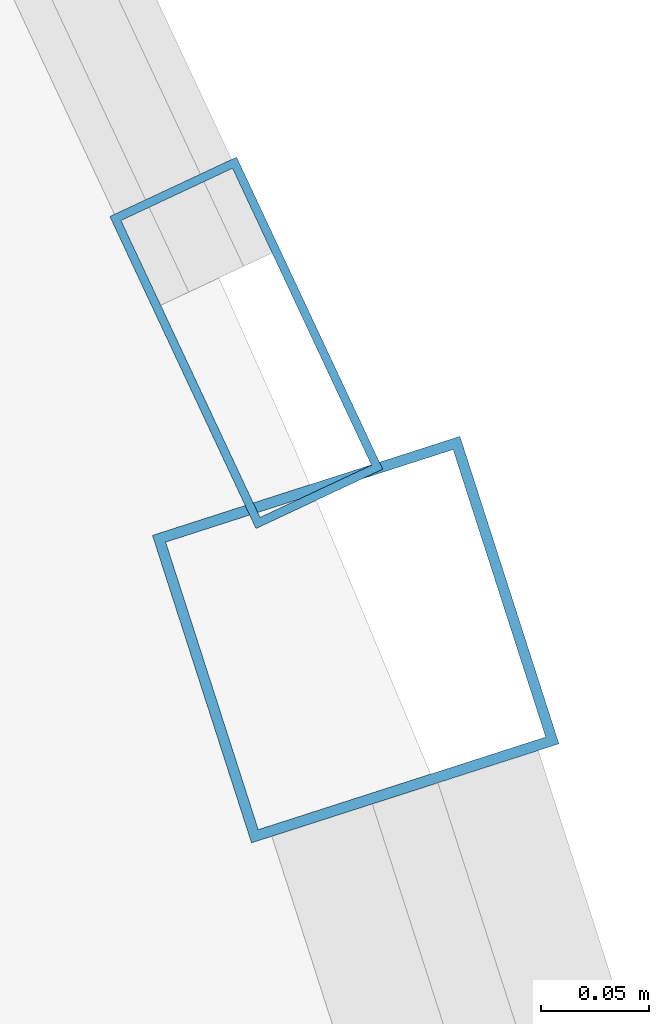
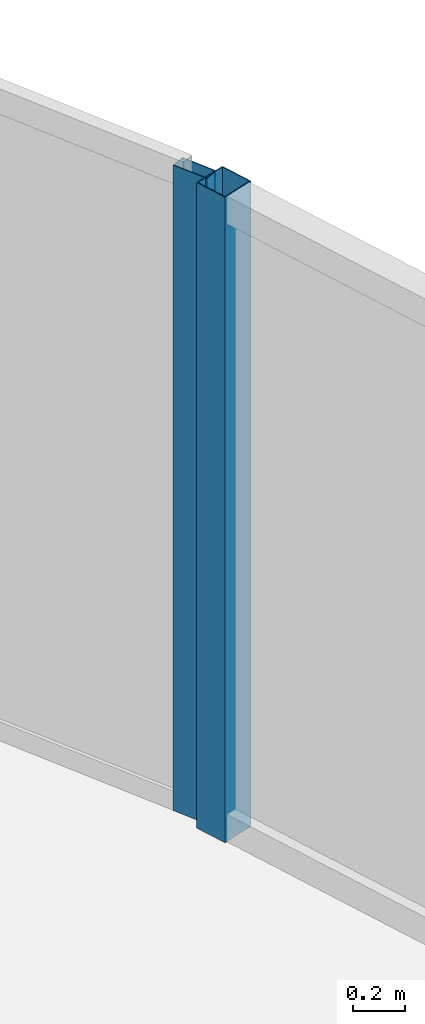
# One storey, part 17 of 32: 2 members, 2 elements without a shape of their own.
"""IFC4 building model written with IfcOpenShell, lengths in metres."""

from ifc_helpers import new_model, si_unit, direction, frame, origin, origin_2d, place, context, subcontext, project, spatial, hollow_rectangle, extrude, material, layer, layer_set, material_profile, profile_set, type_object, element, aggregate, save


model = new_model("IFC4")

# Units and contexts
model_context = context("Model", 3, precision=1e-05, world=origin(), true_north=direction((0.0, 1.0)))
body_context = subcontext(model_context, "Body", "Model", "MODEL_VIEW")
ifc_project = project(units=[si_unit("LENGTHUNIT", "METRE"), si_unit("AREAUNIT", "SQUARE_METRE"), si_unit("VOLUMEUNIT", "CUBIC_METRE"), si_unit("PLANEANGLEUNIT", "RADIAN"), si_unit("MASSUNIT", "GRAM", prefix="KILO")], contexts=[model_context])

# Site, building, storey
site_placement = place(None, origin())
site = spatial("IfcSite", under=ifc_project, at=site_placement, CompositionType="ELEMENT")
building_placement = place(site_placement, origin())
building = spatial("IfcBuilding", under=site, at=building_placement, Name="Orvanel Arch Residences", CompositionType="ELEMENT")
storey_placement = place(building_placement, frame((0.0, 0.0, 219.5)))
storey = spatial("IfcBuildingStorey", under=building, at=storey_placement, Name="L62", CompositionType="ELEMENT", Elevation=219.5)

# Curtain wall, member
ifc_material = material(Name="Bronze-anodised aluminium AA6063-T6", Category="aluminium")
ifc_layer_1 = layer(ifc_material, 0.18994140625)
ifc_layer_set_1 = layer_set([ifc_layer_1], Name="Bronze-anodised aluminium AA6063-T6")
curtain_wall_type_1 = type_object("IfcCurtainWallType", Name="CW5-CRN-SYS", PredefinedType="NOTDEFINED", material=ifc_layer_set_1)
curtain_wall_1_placement = place(storey_placement, origin())
curtain_wall_1 = element("IfcCurtainWall", 1, at=curtain_wall_1_placement, inside=storey, type_object=curtain_wall_type_1, Name="L62 CW5-CRN-SYS Unitised Curtain Wall", PredefinedType="NOTDEFINED")
ifc_material_profile_1 = material_profile(ifc_material, hollow_rectangle(XDim=0.14990234375, YDim=0.14990234375, WallThickness=0.0048828125, at=origin_2d()), Name="ALU150x150x5")
ifc_profile_set_1 = profile_set([ifc_material_profile_1], Name="Bronze-anodised aluminium AA6063-T6")
member_type_1 = type_object("IfcMemberType", Name="MUL-150x150", PredefinedType="MULLION", material=ifc_profile_set_1)
member_1_placement = place(storey_placement, frame((54.0810546875, 15.087646484375, 0.0), z_axis=(0.0, 0.0, 1.0), x_axis=(-0.951837092592, -0.306604222357, 0.0)))
member_1 = element("IfcMember", 2, at=member_1_placement, type_object=member_type_1, Name="CW-S5 mullion 2", PredefinedType="MULLION", context=body_context, shape_type="SweptSolid", body=[
    extrude(hollow_rectangle(XDim=0.14990234375, YDim=0.14990234375, WallThickness=0.0048828125, at=origin_2d()), origin(), (0.0, 0.0, 1.0), 3.06005859375),
])
aggregate(curtain_wall_1, [member_1])

ifc_layer_2 = layer(ifc_material, 0.175048828125)
ifc_layer_set_2 = layer_set([ifc_layer_2], Name="Bronze-anodised aluminium AA6063-T6")
curtain_wall_type_2 = type_object("IfcCurtainWallType", Name="CW4-HI-SYS", PredefinedType="NOTDEFINED", material=ifc_layer_set_2)
curtain_wall_2_placement = place(storey_placement, origin())
curtain_wall_2 = element("IfcCurtainWall", 3, at=curtain_wall_2_placement, inside=storey, type_object=curtain_wall_type_2, Name="L62 CW4-HI-SYS Unitised Curtain Wall", PredefinedType="NOTDEFINED")
ifc_material_profile_2 = material_profile(ifc_material, hollow_rectangle(XDim=0.06494140625, YDim=0.159912109375, WallThickness=0.00390625, at=origin_2d()), Name="ALU160x65x4")
ifc_profile_set_2 = profile_set([ifc_material_profile_2], Name="Bronze-anodised aluminium AA6063-T6")
member_type_2 = type_object("IfcMemberType", Name="MUL-160x65", PredefinedType="MULLION", material=ifc_profile_set_2)
member_2_placement = place(storey_placement, frame((54.0302734375, 15.225341796875, 0.0), z_axis=(0.0, 0.0, 1.0), x_axis=(-0.905611523567, -0.424108203626, 0.0)))
member_2 = element("IfcMember", 4, at=member_2_placement, type_object=member_type_2, Name="CW-S4 mullion 1", PredefinedType="MULLION", context=body_context, shape_type="SweptSolid", body=[
    extrude(hollow_rectangle(XDim=0.06494140625, YDim=0.159912109375, WallThickness=0.00390625, at=origin_2d()), origin(), (0.0, 0.0, 1.0), 3.06005859375),
])
aggregate(curtain_wall_2, [member_2])

save(model, "model.ifc")
